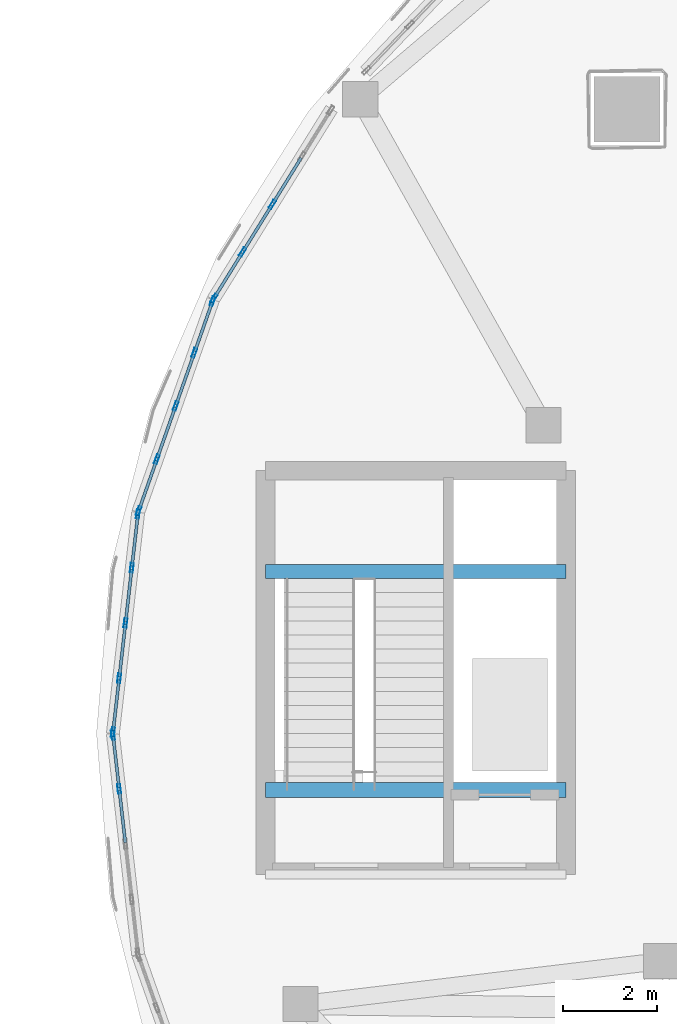
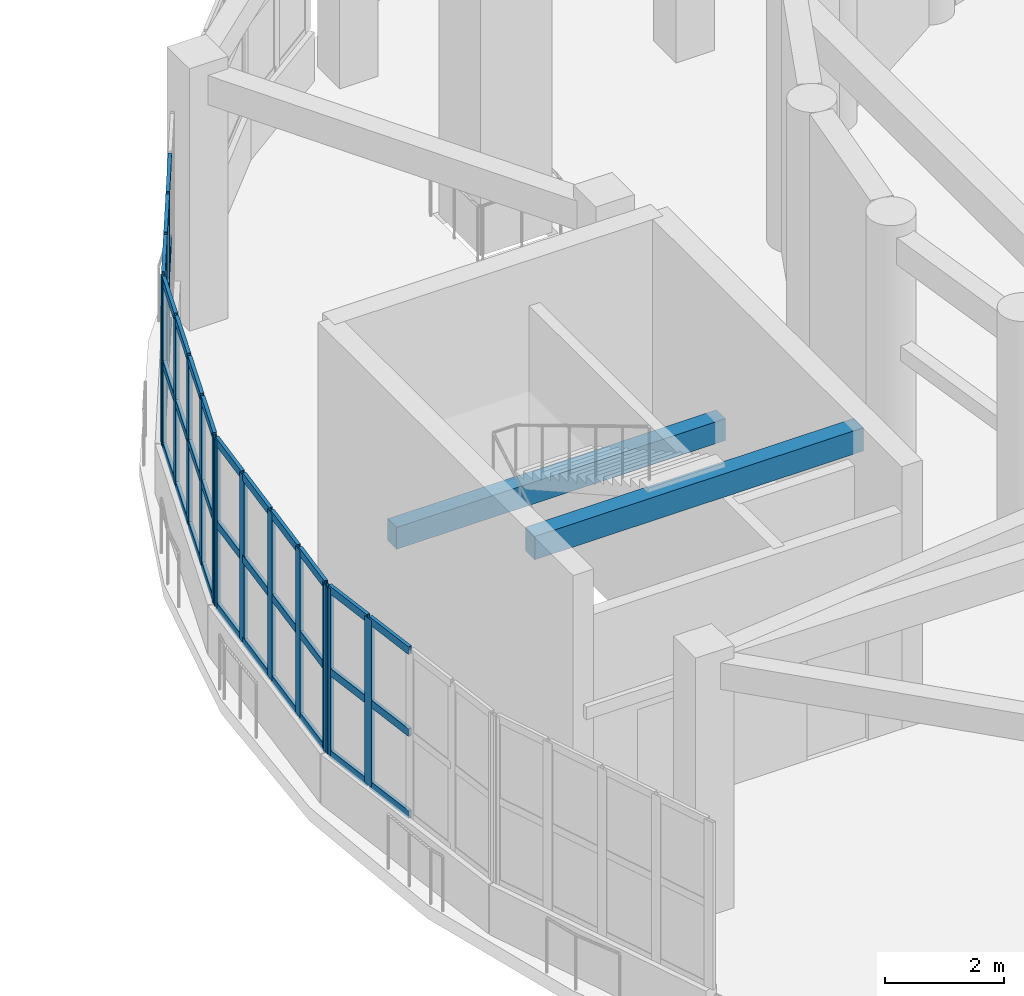
# One storey, part 41 of 96: 54 members, 2 beams, 4 elements without a shape of their own.
"""IFC4 building model written with IfcOpenShell, lengths in metres."""

from ifc_helpers import new_model, si_unit, direction, frame, origin, origin_2d, place, context, subcontext, project, spatial, rectangle, hollow_rectangle, extrude, material, layer, layer_set, material_profile, profile_set, type_object, element, aggregate, save


model = new_model("IFC4")

# Units and contexts
model_context = context("Model", 3, precision=1e-05, world=origin(), true_north=direction((0.0, 1.0)))
body_context = subcontext(model_context, "Body", "Model", "MODEL_VIEW")
ifc_project = project(units=[si_unit("LENGTHUNIT", "METRE"), si_unit("AREAUNIT", "SQUARE_METRE"), si_unit("VOLUMEUNIT", "CUBIC_METRE"), si_unit("PLANEANGLEUNIT", "RADIAN"), si_unit("MASSUNIT", "GRAM", prefix="KILO")], contexts=[model_context])

# Site, building, storey
site_placement = place(None, origin())
site = spatial("IfcSite", under=ifc_project, at=site_placement, CompositionType="ELEMENT")
building_placement = place(site_placement, origin())
building = spatial("IfcBuilding", under=site, at=building_placement, Name="Pelvatis Terrace Science Centre", CompositionType="ELEMENT")
storey_placement = place(building_placement, origin())
storey = spatial("IfcBuildingStorey", under=building, at=storey_placement, Name="L00", CompositionType="ELEMENT", Elevation=0.0)

# Beams
ifc_material_1 = material(Name="Concrete C35/45", Category="concrete")
ifc_material_profile_1 = material_profile(ifc_material_1, rectangle(XDim=0.300048828125, YDim=0.449951171875, at=origin_2d()), Name="RC-BM 300x450")
ifc_profile_set_1 = profile_set([ifc_material_profile_1], Name="Concrete C35/45")
beam_type_1 = type_object("IfcBeamType", Name="BM-RC-300x450", PredefinedType="BEAM", material=ifc_profile_set_1)
beam_1_placement = place(storey_placement, frame((86.800048828125, 85.64990234375, 2.27490234375), z_axis=(1.0, 0.0, 0.0), x_axis=(0.0, 1.0, 0.0)))
element("IfcBeam", 1, at=beam_1_placement, inside=storey, type_object=beam_type_1, Name="Core C1 half-landing beam (L00)", PredefinedType="BEAM", context=body_context, shape_type="SweptSolid", body=[
    extrude(rectangle(XDim=0.300048828125, YDim=0.449951171875, at=origin_2d()), origin(), (0.0, 0.0, 1.0), 6.39990234375),
])
ifc_material_2 = material(Name="Concrete C35/45", Category="concrete")
ifc_material_profile_2 = material_profile(ifc_material_2, rectangle(XDim=0.320068359375, YDim=0.47998046875, at=origin_2d()), Name="RC-BM 320x480")
ifc_profile_set_2 = profile_set([ifc_material_profile_2], Name="Concrete C35/45")
beam_type_2 = type_object("IfcBeamType", Name="BM-RC-320x480", PredefinedType="BEAM", material=ifc_profile_set_2)
beam_2_placement = place(storey_placement, frame((86.800048828125, 81.0, 4.89990234375), z_axis=(1.0, 0.0, 0.0), x_axis=(0.0, 1.0, 0.0)))
element("IfcBeam", 2, at=beam_2_placement, inside=storey, type_object=beam_type_2, Name="Core C1 stair header beam (L00)", PredefinedType="BEAM", context=body_context, shape_type="SweptSolid", body=[
    extrude(rectangle(XDim=0.320068359375, YDim=0.47998046875, at=origin_2d()), origin(), (0.0, 0.0, 1.0), 6.39990234375),
])

# Curtain wall, members
ifc_material_3 = material(Name="Bronze-anodised aluminium and laminated glass", Category="aluminium")
ifc_layer = layer(ifc_material_3, 0.199951171875)
ifc_layer_set = layer_set([ifc_layer], Name="Bronze-anodised aluminium and laminated glass")
curtain_wall_type = type_object("IfcCurtainWallType", Name="CW-RIBBON-B", PredefinedType="NOTDEFINED", material=ifc_layer_set)
curtain_wall_1_placement = place(storey_placement, origin())
curtain_wall_1 = element("IfcCurtainWall", 3, at=curtain_wall_1_placement, inside=storey, type_object=curtain_wall_type, Name="Ribbon curtain wall CW-113 (L00)", PredefinedType="NOTDEFINED")
ifc_material_4 = material(Name="Bronze-anodised aluminium 6063-T6", Category="aluminium")
ifc_material_profile_3 = material_profile(ifc_material_4, hollow_rectangle(XDim=0.06494140625, YDim=0.199951171875, WallThickness=0.00439453125, at=origin_2d()), Name="ALU-MUL 65x200")
ifc_profile_set_3 = profile_set([ifc_material_profile_3], Name="Bronze-anodised aluminium 6063-T6")
member_type_1 = type_object("IfcMemberType", Name="CWM-65x200", PredefinedType="MULLION", material=ifc_profile_set_3)
member_1_placement = place(storey_placement, frame((86.946044921875, 93.47265625, 1.02001953125), z_axis=(0.0, 0.0, 1.0), x_axis=(0.849581991554, -0.527456576058, 0.0)))
member_1 = element("IfcMember", 4, at=member_1_placement, type_object=member_type_1, Name="CW-113 mullion 3", PredefinedType="MULLION", context=body_context, shape_type="SweptSolid", body=[
    extrude(hollow_rectangle(XDim=0.06494140625, YDim=0.199951171875, WallThickness=0.00439453125, at=origin_2d()), origin(), (0.0, 0.0, 1.0), 3.43994140625),
])
member_2_placement = place(storey_placement, frame((86.315673828125, 92.457275390625, 1.02001953125), z_axis=(0.0, 0.0, 1.0), x_axis=(0.849581991554, -0.527456576058, 0.0)))
member_2 = element("IfcMember", 5, at=member_2_placement, type_object=member_type_1, Name="CW-113 mullion 4", PredefinedType="MULLION", context=body_context, shape_type="SweptSolid", body=[
    extrude(hollow_rectangle(XDim=0.06494140625, YDim=0.199951171875, WallThickness=0.00439453125, at=origin_2d()), origin(), (0.0, 0.0, 1.0), 3.43994140625),
])
member_3_placement = place(storey_placement, frame((85.702392578125, 91.469482421875, 1.02001953125), z_axis=(0.0, 0.0, 1.0), x_axis=(0.849581991554, -0.527456576058, 0.0)))
member_3 = element("IfcMember", 6, at=member_3_placement, type_object=member_type_1, Name="CW-113 mullion 5", PredefinedType="MULLION", context=body_context, shape_type="SweptSolid", body=[
    extrude(hollow_rectangle(XDim=0.06494140625, YDim=0.199951171875, WallThickness=0.00439453125, at=origin_2d()), origin(), (0.0, 0.0, 1.0), 3.43994140625),
])

curtain_wall_2_placement = place(storey_placement, origin())
curtain_wall_2 = element("IfcCurtainWall", 7, at=curtain_wall_2_placement, inside=storey, type_object=curtain_wall_type, Name="Ribbon curtain wall CW-114 (L00)", PredefinedType="NOTDEFINED")
member_4_placement = place(storey_placement, frame((85.67431640625, 91.4111328125, 1.02001953125), z_axis=(0.0, 0.0, 1.0), x_axis=(0.943170837028, -0.332308248738, 0.0)))
member_4 = element("IfcMember", 8, at=member_4_placement, type_object=member_type_1, Name="CW-114 mullion 1", PredefinedType="MULLION", context=body_context, shape_type="SweptSolid", body=[
    extrude(hollow_rectangle(XDim=0.06494140625, YDim=0.199951171875, WallThickness=0.00439453125, at=origin_2d()), origin(), (0.0, 0.0, 1.0), 3.43994140625),
])
member_5_placement = place(storey_placement, frame((85.2861328125, 90.30908203125, 1.02001953125), z_axis=(0.0, 0.0, 1.0), x_axis=(0.943170837028, -0.332308248738, 0.0)))
member_5 = element("IfcMember", 9, at=member_5_placement, type_object=member_type_1, Name="CW-114 mullion 2", PredefinedType="MULLION", context=body_context, shape_type="SweptSolid", body=[
    extrude(hollow_rectangle(XDim=0.06494140625, YDim=0.199951171875, WallThickness=0.00439453125, at=origin_2d()), origin(), (0.0, 0.0, 1.0), 3.43994140625),
])
member_6_placement = place(storey_placement, frame((84.88720703125, 89.176513671875, 1.02001953125), z_axis=(0.0, 0.0, 1.0), x_axis=(0.943170837028, -0.332308248738, 0.0)))
member_6 = element("IfcMember", 10, at=member_6_placement, type_object=member_type_1, Name="CW-114 mullion 3", PredefinedType="MULLION", context=body_context, shape_type="SweptSolid", body=[
    extrude(hollow_rectangle(XDim=0.06494140625, YDim=0.199951171875, WallThickness=0.00439453125, at=origin_2d()), origin(), (0.0, 0.0, 1.0), 3.43994140625),
])
member_7_placement = place(storey_placement, frame((84.488037109375, 88.0439453125, 1.02001953125), z_axis=(0.0, 0.0, 1.0), x_axis=(0.943170837028, -0.332308248738, 0.0)))
member_7 = element("IfcMember", 11, at=member_7_placement, type_object=member_type_1, Name="CW-114 mullion 4", PredefinedType="MULLION", context=body_context, shape_type="SweptSolid", body=[
    extrude(hollow_rectangle(XDim=0.06494140625, YDim=0.199951171875, WallThickness=0.00439453125, at=origin_2d()), origin(), (0.0, 0.0, 1.0), 3.43994140625),
])
member_8_placement = place(storey_placement, frame((84.099853515625, 86.942138671875, 1.02001953125), z_axis=(0.0, 0.0, 1.0), x_axis=(0.943170837028, -0.332308248738, 0.0)))
member_8 = element("IfcMember", 12, at=member_8_placement, type_object=member_type_1, Name="CW-114 mullion 5", PredefinedType="MULLION", context=body_context, shape_type="SweptSolid", body=[
    extrude(hollow_rectangle(XDim=0.06494140625, YDim=0.199951171875, WallThickness=0.00439453125, at=origin_2d()), origin(), (0.0, 0.0, 1.0), 3.43994140625),
])

curtain_wall_3_placement = place(storey_placement, origin())
curtain_wall_3 = element("IfcCurtainWall", 13, at=curtain_wall_3_placement, inside=storey, type_object=curtain_wall_type, Name="Ribbon curtain wall CW-115 (L00)", PredefinedType="NOTDEFINED")
member_9_placement = place(storey_placement, frame((84.085205078125, 86.879150390625, 1.02001953125), z_axis=(0.0, 0.0, 1.0), x_axis=(0.993519479858, -0.113661968763, 0.0)))
member_9 = element("IfcMember", 14, at=member_9_placement, type_object=member_type_1, Name="CW-115 mullion 1", PredefinedType="MULLION", context=body_context, shape_type="SweptSolid", body=[
    extrude(hollow_rectangle(XDim=0.06494140625, YDim=0.199951171875, WallThickness=0.00439453125, at=origin_2d()), origin(), (0.0, 0.0, 1.0), 3.43994140625),
])
member_10_placement = place(storey_placement, frame((83.954345703125, 85.733642578125, 1.02001953125), z_axis=(0.0, 0.0, 1.0), x_axis=(0.993519479858, -0.113661968763, 0.0)))
member_10 = element("IfcMember", 15, at=member_10_placement, type_object=member_type_1, Name="CW-115 mullion 2", PredefinedType="MULLION", context=body_context, shape_type="SweptSolid", body=[
    extrude(hollow_rectangle(XDim=0.06494140625, YDim=0.199951171875, WallThickness=0.00439453125, at=origin_2d()), origin(), (0.0, 0.0, 1.0), 3.43994140625),
])
member_11_placement = place(storey_placement, frame((83.819580078125, 84.5556640625, 1.02001953125), z_axis=(0.0, 0.0, 1.0), x_axis=(0.993519479858, -0.113661968763, 0.0)))
member_11 = element("IfcMember", 16, at=member_11_placement, type_object=member_type_1, Name="CW-115 mullion 3", PredefinedType="MULLION", context=body_context, shape_type="SweptSolid", body=[
    extrude(hollow_rectangle(XDim=0.06494140625, YDim=0.199951171875, WallThickness=0.00439453125, at=origin_2d()), origin(), (0.0, 0.0, 1.0), 3.43994140625),
])
member_12_placement = place(storey_placement, frame((83.684814453125, 83.3779296875, 1.02001953125), z_axis=(0.0, 0.0, 1.0), x_axis=(0.993519479858, -0.113661968763, 0.0)))
member_12 = element("IfcMember", 17, at=member_12_placement, type_object=member_type_1, Name="CW-115 mullion 4", PredefinedType="MULLION", context=body_context, shape_type="SweptSolid", body=[
    extrude(hollow_rectangle(XDim=0.06494140625, YDim=0.199951171875, WallThickness=0.00439453125, at=origin_2d()), origin(), (0.0, 0.0, 1.0), 3.43994140625),
])
member_13_placement = place(storey_placement, frame((83.5537109375, 82.232177734375, 1.02001953125), z_axis=(0.0, 0.0, 1.0), x_axis=(0.993519479858, -0.113661968763, 0.0)))
member_13 = element("IfcMember", 18, at=member_13_placement, type_object=member_type_1, Name="CW-115 mullion 5", PredefinedType="MULLION", context=body_context, shape_type="SweptSolid", body=[
    extrude(hollow_rectangle(XDim=0.06494140625, YDim=0.199951171875, WallThickness=0.00439453125, at=origin_2d()), origin(), (0.0, 0.0, 1.0), 3.43994140625),
])

curtain_wall_4_placement = place(storey_placement, origin())
curtain_wall_4 = element("IfcCurtainWall", 19, at=curtain_wall_4_placement, inside=storey, type_object=curtain_wall_type, Name="Ribbon curtain wall CW-116 (L00)", PredefinedType="NOTDEFINED")
member_14_placement = place(storey_placement, frame((83.5537109375, 82.167724609375, 1.02001953125), z_axis=(0.0, 0.0, 1.0), x_axis=(0.993519479858, 0.113661968763, 0.0)))
member_14 = element("IfcMember", 20, at=member_14_placement, type_object=member_type_1, Name="CW-116 mullion 1", PredefinedType="MULLION", context=body_context, shape_type="SweptSolid", body=[
    extrude(hollow_rectangle(XDim=0.06494140625, YDim=0.199951171875, WallThickness=0.00439453125, at=origin_2d()), origin(), (0.0, 0.0, 1.0), 3.43994140625),
])
member_15_placement = place(storey_placement, frame((83.684814453125, 81.022216796875, 1.02001953125), z_axis=(0.0, 0.0, 1.0), x_axis=(0.993519479858, 0.113661968763, 0.0)))
member_15 = element("IfcMember", 21, at=member_15_placement, type_object=member_type_1, Name="CW-116 mullion 2", PredefinedType="MULLION", context=body_context, shape_type="SweptSolid", body=[
    extrude(hollow_rectangle(XDim=0.06494140625, YDim=0.199951171875, WallThickness=0.00439453125, at=origin_2d()), origin(), (0.0, 0.0, 1.0), 3.43994140625),
])

# Member
ifc_material_5 = material(Name="Bronze-anodised aluminium 6063-T6", Category="aluminium")
ifc_material_profile_4 = material_profile(ifc_material_5, hollow_rectangle(XDim=0.06494140625, YDim=0.159912109375, WallThickness=0.00390625, at=origin_2d()), Name="ALU-TRN 65x160")
ifc_profile_set_4 = profile_set([ifc_material_profile_4], Name="Bronze-anodised aluminium 6063-T6")
member_type_2 = type_object("IfcMemberType", Name="CWT-65x160", PredefinedType="USERDEFINED", material=ifc_profile_set_4)
member_16_placement = place(storey_placement, frame((87.559326171875, 94.460693359375, 1.052490234375), z_axis=(-0.52739511764, -0.84962014447, 0.0), x_axis=(0.84962014447, -0.52739511764, 0.0)))
member_16 = element("IfcMember", 22, at=member_16_placement, type_object=member_type_2, Name="CW-113 transom 2.1", ObjectType="TRANSOM", PredefinedType="USERDEFINED", context=body_context, shape_type="SweptSolid", body=[
    extrude(hollow_rectangle(XDim=0.06494140625, YDim=0.159912109375, WallThickness=0.00390625, at=origin_2d()), origin(), (0.0, 0.0, 1.0), 1.13037109375),
])

member_17_placement = place(storey_placement, frame((87.559326171875, 94.460693359375, 2.739990234375), z_axis=(-0.52739511764, -0.84962014447, 0.0), x_axis=(0.84962014447, -0.52739511764, 0.0)))
member_17 = element("IfcMember", 23, at=member_17_placement, type_object=member_type_2, Name="CW-113 transom 2.2", ObjectType="TRANSOM", PredefinedType="USERDEFINED", context=body_context, shape_type="SweptSolid", body=[
    extrude(hollow_rectangle(XDim=0.06494140625, YDim=0.159912109375, WallThickness=0.00390625, at=origin_2d()), origin(), (0.0, 0.0, 1.0), 1.13037109375),
])

member_18_placement = place(storey_placement, frame((87.559326171875, 94.460693359375, 4.427490234375), z_axis=(-0.52739511764, -0.84962014447, 0.0), x_axis=(0.84962014447, -0.52739511764, 0.0)))
member_18 = element("IfcMember", 24, at=member_18_placement, type_object=member_type_2, Name="CW-113 transom 2.3", ObjectType="TRANSOM", PredefinedType="USERDEFINED", context=body_context, shape_type="SweptSolid", body=[
    extrude(hollow_rectangle(XDim=0.06494140625, YDim=0.159912109375, WallThickness=0.00390625, at=origin_2d()), origin(), (0.0, 0.0, 1.0), 1.13037109375),
])

member_19_placement = place(storey_placement, frame((86.928955078125, 93.445068359375, 1.052490234375), z_axis=(-0.527491904341, -0.849560057238, 0.0), x_axis=(0.849560057238, -0.527491904341, 0.0)))
member_19 = element("IfcMember", 25, at=member_19_placement, type_object=member_type_2, Name="CW-113 transom 3.1", ObjectType="TRANSOM", PredefinedType="USERDEFINED", context=body_context, shape_type="SweptSolid", body=[
    extrude(hollow_rectangle(XDim=0.06494140625, YDim=0.159912109375, WallThickness=0.00390625, at=origin_2d()), origin(), (0.0, 0.0, 1.0), 1.130126953125),
])

member_20_placement = place(storey_placement, frame((86.928955078125, 93.445068359375, 2.739990234375), z_axis=(-0.527491904341, -0.849560057238, 0.0), x_axis=(0.849560057238, -0.527491904341, 0.0)))
member_20 = element("IfcMember", 26, at=member_20_placement, type_object=member_type_2, Name="CW-113 transom 3.2", ObjectType="TRANSOM", PredefinedType="USERDEFINED", context=body_context, shape_type="SweptSolid", body=[
    extrude(hollow_rectangle(XDim=0.06494140625, YDim=0.159912109375, WallThickness=0.00390625, at=origin_2d()), origin(), (0.0, 0.0, 1.0), 1.130126953125),
])

member_21_placement = place(storey_placement, frame((86.928955078125, 93.445068359375, 4.427490234375), z_axis=(-0.527491904341, -0.849560057238, 0.0), x_axis=(0.849560057238, -0.527491904341, 0.0)))
member_21 = element("IfcMember", 27, at=member_21_placement, type_object=member_type_2, Name="CW-113 transom 3.3", ObjectType="TRANSOM", PredefinedType="USERDEFINED", context=body_context, shape_type="SweptSolid", body=[
    extrude(hollow_rectangle(XDim=0.06494140625, YDim=0.159912109375, WallThickness=0.00390625, at=origin_2d()), origin(), (0.0, 0.0, 1.0), 1.130126953125),
])

member_22_placement = place(storey_placement, frame((86.298583984375, 92.4296875, 1.052490234375), z_axis=(-0.527517860457, -0.849543940534, 0.0), x_axis=(0.849543940534, -0.527517860457, 0.0)))
member_22 = element("IfcMember", 28, at=member_22_placement, type_object=member_type_2, Name="CW-113 transom 4.1", ObjectType="TRANSOM", PredefinedType="USERDEFINED", context=body_context, shape_type="SweptSolid", body=[
    extrude(hollow_rectangle(XDim=0.06494140625, YDim=0.159912109375, WallThickness=0.00390625, at=origin_2d()), origin(), (0.0, 0.0, 1.0), 1.097900390625),
])

member_23_placement = place(storey_placement, frame((86.298583984375, 92.4296875, 2.739990234375), z_axis=(-0.527517860457, -0.849543940534, 0.0), x_axis=(0.849543940534, -0.527517860457, 0.0)))
member_23 = element("IfcMember", 29, at=member_23_placement, type_object=member_type_2, Name="CW-113 transom 4.2", ObjectType="TRANSOM", PredefinedType="USERDEFINED", context=body_context, shape_type="SweptSolid", body=[
    extrude(hollow_rectangle(XDim=0.06494140625, YDim=0.159912109375, WallThickness=0.00390625, at=origin_2d()), origin(), (0.0, 0.0, 1.0), 1.097900390625),
])

member_24_placement = place(storey_placement, frame((86.298583984375, 92.4296875, 4.427490234375), z_axis=(-0.527517860457, -0.849543940534, 0.0), x_axis=(0.849543940534, -0.527517860457, 0.0)))
member_24 = element("IfcMember", 30, at=member_24_placement, type_object=member_type_2, Name="CW-113 transom 4.3", ObjectType="TRANSOM", PredefinedType="USERDEFINED", context=body_context, shape_type="SweptSolid", body=[
    extrude(hollow_rectangle(XDim=0.06494140625, YDim=0.159912109375, WallThickness=0.00390625, at=origin_2d()), origin(), (0.0, 0.0, 1.0), 1.097900390625),
])

aggregate(curtain_wall_1, [member_1, member_2, member_3, member_16, member_17, member_18, member_19, member_20, member_21, member_22, member_23, member_24])

member_25_placement = place(storey_placement, frame((85.66357421875, 91.380615234375, 1.052490234375), z_axis=(-0.332310863996, -0.943169915588, 0.0), x_axis=(0.943169915588, -0.332310863996, 0.0)))
member_25 = element("IfcMember", 31, at=member_25_placement, type_object=member_type_2, Name="CW-114 transom 1.1", ObjectType="TRANSOM", PredefinedType="USERDEFINED", context=body_context, shape_type="SweptSolid", body=[
    extrude(hollow_rectangle(XDim=0.06494140625, YDim=0.159912109375, WallThickness=0.00390625, at=origin_2d()), origin(), (0.0, 0.0, 1.0), 1.103515625),
])

member_26_placement = place(storey_placement, frame((85.66357421875, 91.380615234375, 2.739990234375), z_axis=(-0.332310863996, -0.943169915588, 0.0), x_axis=(0.943169915588, -0.332310863996, 0.0)))
member_26 = element("IfcMember", 32, at=member_26_placement, type_object=member_type_2, Name="CW-114 transom 1.2", ObjectType="TRANSOM", PredefinedType="USERDEFINED", context=body_context, shape_type="SweptSolid", body=[
    extrude(hollow_rectangle(XDim=0.06494140625, YDim=0.159912109375, WallThickness=0.00390625, at=origin_2d()), origin(), (0.0, 0.0, 1.0), 1.103515625),
])

member_27_placement = place(storey_placement, frame((85.66357421875, 91.380615234375, 4.427490234375), z_axis=(-0.332310863996, -0.943169915588, 0.0), x_axis=(0.943169915588, -0.332310863996, 0.0)))
member_27 = element("IfcMember", 33, at=member_27_placement, type_object=member_type_2, Name="CW-114 transom 1.3", ObjectType="TRANSOM", PredefinedType="USERDEFINED", context=body_context, shape_type="SweptSolid", body=[
    extrude(hollow_rectangle(XDim=0.06494140625, YDim=0.159912109375, WallThickness=0.00390625, at=origin_2d()), origin(), (0.0, 0.0, 1.0), 1.103515625),
])

member_28_placement = place(storey_placement, frame((85.275390625, 90.278564453125, 1.052490234375), z_axis=(-0.332302880193, -0.943172728516, 0.0), x_axis=(0.943172728516, -0.332302880193, 0.0)))
member_28 = element("IfcMember", 34, at=member_28_placement, type_object=member_type_2, Name="CW-114 transom 2.1", ObjectType="TRANSOM", PredefinedType="USERDEFINED", context=body_context, shape_type="SweptSolid", body=[
    extrude(hollow_rectangle(XDim=0.06494140625, YDim=0.159912109375, WallThickness=0.00390625, at=origin_2d()), origin(), (0.0, 0.0, 1.0), 1.1357421875),
])

member_29_placement = place(storey_placement, frame((85.275390625, 90.278564453125, 2.739990234375), z_axis=(-0.332302880193, -0.943172728516, 0.0), x_axis=(0.943172728516, -0.332302880193, 0.0)))
member_29 = element("IfcMember", 35, at=member_29_placement, type_object=member_type_2, Name="CW-114 transom 2.2", ObjectType="TRANSOM", PredefinedType="USERDEFINED", context=body_context, shape_type="SweptSolid", body=[
    extrude(hollow_rectangle(XDim=0.06494140625, YDim=0.159912109375, WallThickness=0.00390625, at=origin_2d()), origin(), (0.0, 0.0, 1.0), 1.1357421875),
])

member_30_placement = place(storey_placement, frame((85.275390625, 90.278564453125, 4.427490234375), z_axis=(-0.332302880193, -0.943172728516, 0.0), x_axis=(0.943172728516, -0.332302880193, 0.0)))
member_30 = element("IfcMember", 36, at=member_30_placement, type_object=member_type_2, Name="CW-114 transom 2.3", ObjectType="TRANSOM", PredefinedType="USERDEFINED", context=body_context, shape_type="SweptSolid", body=[
    extrude(hollow_rectangle(XDim=0.06494140625, YDim=0.159912109375, WallThickness=0.00390625, at=origin_2d()), origin(), (0.0, 0.0, 1.0), 1.1357421875),
])

member_31_placement = place(storey_placement, frame((84.876220703125, 89.14599609375, 1.052490234375), z_axis=(-0.332302880193, -0.943172728516, 0.0), x_axis=(0.943172728516, -0.332302880193, 0.0)))
member_31 = element("IfcMember", 37, at=member_31_placement, type_object=member_type_2, Name="CW-114 transom 3.1", ObjectType="TRANSOM", PredefinedType="USERDEFINED", context=body_context, shape_type="SweptSolid", body=[
    extrude(hollow_rectangle(XDim=0.06494140625, YDim=0.159912109375, WallThickness=0.00390625, at=origin_2d()), origin(), (0.0, 0.0, 1.0), 1.1357421875),
])

member_32_placement = place(storey_placement, frame((84.876220703125, 89.14599609375, 2.739990234375), z_axis=(-0.332302880193, -0.943172728516, 0.0), x_axis=(0.943172728516, -0.332302880193, 0.0)))
member_32 = element("IfcMember", 38, at=member_32_placement, type_object=member_type_2, Name="CW-114 transom 3.2", ObjectType="TRANSOM", PredefinedType="USERDEFINED", context=body_context, shape_type="SweptSolid", body=[
    extrude(hollow_rectangle(XDim=0.06494140625, YDim=0.159912109375, WallThickness=0.00390625, at=origin_2d()), origin(), (0.0, 0.0, 1.0), 1.1357421875),
])

member_33_placement = place(storey_placement, frame((84.876220703125, 89.14599609375, 4.427490234375), z_axis=(-0.332302880193, -0.943172728516, 0.0), x_axis=(0.943172728516, -0.332302880193, 0.0)))
member_33 = element("IfcMember", 39, at=member_33_placement, type_object=member_type_2, Name="CW-114 transom 3.3", ObjectType="TRANSOM", PredefinedType="USERDEFINED", context=body_context, shape_type="SweptSolid", body=[
    extrude(hollow_rectangle(XDim=0.06494140625, YDim=0.159912109375, WallThickness=0.00390625, at=origin_2d()), origin(), (0.0, 0.0, 1.0), 1.1357421875),
])

member_34_placement = place(storey_placement, frame((84.477294921875, 88.013427734375, 1.052490234375), z_axis=(-0.332310863996, -0.943169915588, 0.0), x_axis=(0.943169915588, -0.332310863996, 0.0)))
member_34 = element("IfcMember", 40, at=member_34_placement, type_object=member_type_2, Name="CW-114 transom 4.1", ObjectType="TRANSOM", PredefinedType="USERDEFINED", context=body_context, shape_type="SweptSolid", body=[
    extrude(hollow_rectangle(XDim=0.06494140625, YDim=0.159912109375, WallThickness=0.00390625, at=origin_2d()), origin(), (0.0, 0.0, 1.0), 1.103515625),
])

member_35_placement = place(storey_placement, frame((84.477294921875, 88.013427734375, 2.739990234375), z_axis=(-0.332310863996, -0.943169915588, 0.0), x_axis=(0.943169915588, -0.332310863996, 0.0)))
member_35 = element("IfcMember", 41, at=member_35_placement, type_object=member_type_2, Name="CW-114 transom 4.2", ObjectType="TRANSOM", PredefinedType="USERDEFINED", context=body_context, shape_type="SweptSolid", body=[
    extrude(hollow_rectangle(XDim=0.06494140625, YDim=0.159912109375, WallThickness=0.00390625, at=origin_2d()), origin(), (0.0, 0.0, 1.0), 1.103515625),
])

member_36_placement = place(storey_placement, frame((84.477294921875, 88.013427734375, 4.427490234375), z_axis=(-0.332310863996, -0.943169915588, 0.0), x_axis=(0.943169915588, -0.332310863996, 0.0)))
member_36 = element("IfcMember", 42, at=member_36_placement, type_object=member_type_2, Name="CW-114 transom 4.3", ObjectType="TRANSOM", PredefinedType="USERDEFINED", context=body_context, shape_type="SweptSolid", body=[
    extrude(hollow_rectangle(XDim=0.06494140625, YDim=0.159912109375, WallThickness=0.00390625, at=origin_2d()), origin(), (0.0, 0.0, 1.0), 1.103515625),
])

aggregate(curtain_wall_2, [member_4, member_5, member_6, member_7, member_8, member_25, member_26, member_27, member_28, member_29, member_30, member_31, member_32, member_33, member_34, member_35, member_36])

member_37_placement = place(storey_placement, frame((84.08154296875, 86.846923828125, 1.052490234375), z_axis=(-0.113533935007, -0.993534118992, 0.0), x_axis=(0.993534118992, -0.113533935007, 0.0)))
member_37 = element("IfcMember", 43, at=member_37_placement, type_object=member_type_2, Name="CW-115 transom 1.1", ObjectType="TRANSOM", PredefinedType="USERDEFINED", context=body_context, shape_type="SweptSolid", body=[
    extrude(hollow_rectangle(XDim=0.06494140625, YDim=0.159912109375, WallThickness=0.00390625, at=origin_2d()), origin(), (0.0, 0.0, 1.0), 1.088134765625),
])

member_38_placement = place(storey_placement, frame((84.08154296875, 86.846923828125, 2.739990234375), z_axis=(-0.113533935007, -0.993534118992, 0.0), x_axis=(0.993534118992, -0.113533935007, 0.0)))
member_38 = element("IfcMember", 44, at=member_38_placement, type_object=member_type_2, Name="CW-115 transom 1.2", ObjectType="TRANSOM", PredefinedType="USERDEFINED", context=body_context, shape_type="SweptSolid", body=[
    extrude(hollow_rectangle(XDim=0.06494140625, YDim=0.159912109375, WallThickness=0.00390625, at=origin_2d()), origin(), (0.0, 0.0, 1.0), 1.088134765625),
])

member_39_placement = place(storey_placement, frame((84.08154296875, 86.846923828125, 4.427490234375), z_axis=(-0.113533935007, -0.993534118992, 0.0), x_axis=(0.993534118992, -0.113533935007, 0.0)))
member_39 = element("IfcMember", 45, at=member_39_placement, type_object=member_type_2, Name="CW-115 transom 1.3", ObjectType="TRANSOM", PredefinedType="USERDEFINED", context=body_context, shape_type="SweptSolid", body=[
    extrude(hollow_rectangle(XDim=0.06494140625, YDim=0.159912109375, WallThickness=0.00390625, at=origin_2d()), origin(), (0.0, 0.0, 1.0), 1.088134765625),
])

member_40_placement = place(storey_placement, frame((83.950439453125, 85.701171875, 1.052490234375), z_axis=(-0.113515866586, -0.993536183555, 0.0), x_axis=(0.993536183555, -0.113515866586, 0.0)))
member_40 = element("IfcMember", 46, at=member_40_placement, type_object=member_type_2, Name="CW-115 transom 2.1", ObjectType="TRANSOM", PredefinedType="USERDEFINED", context=body_context, shape_type="SweptSolid", body=[
    extrude(hollow_rectangle(XDim=0.06494140625, YDim=0.159912109375, WallThickness=0.00390625, at=origin_2d()), origin(), (0.0, 0.0, 1.0), 1.12060546875),
])

member_41_placement = place(storey_placement, frame((83.950439453125, 85.701171875, 2.739990234375), z_axis=(-0.113515866586, -0.993536183555, 0.0), x_axis=(0.993536183555, -0.113515866586, 0.0)))
member_41 = element("IfcMember", 47, at=member_41_placement, type_object=member_type_2, Name="CW-115 transom 2.2", ObjectType="TRANSOM", PredefinedType="USERDEFINED", context=body_context, shape_type="SweptSolid", body=[
    extrude(hollow_rectangle(XDim=0.06494140625, YDim=0.159912109375, WallThickness=0.00390625, at=origin_2d()), origin(), (0.0, 0.0, 1.0), 1.12060546875),
])

member_42_placement = place(storey_placement, frame((83.950439453125, 85.701171875, 4.427490234375), z_axis=(-0.113515866586, -0.993536183555, 0.0), x_axis=(0.993536183555, -0.113515866586, 0.0)))
member_42 = element("IfcMember", 48, at=member_42_placement, type_object=member_type_2, Name="CW-115 transom 2.3", ObjectType="TRANSOM", PredefinedType="USERDEFINED", context=body_context, shape_type="SweptSolid", body=[
    extrude(hollow_rectangle(XDim=0.06494140625, YDim=0.159912109375, WallThickness=0.00390625, at=origin_2d()), origin(), (0.0, 0.0, 1.0), 1.12060546875),
])

member_43_placement = place(storey_placement, frame((83.81591796875, 84.5234375, 1.052490234375), z_axis=(-0.113730931765, -0.993511587834, 0.0), x_axis=(0.993511587834, -0.113730931765, 0.0)))
member_43 = element("IfcMember", 49, at=member_43_placement, type_object=member_type_2, Name="CW-115 transom 3.1", ObjectType="TRANSOM", PredefinedType="USERDEFINED", context=body_context, shape_type="SweptSolid", body=[
    extrude(hollow_rectangle(XDim=0.06494140625, YDim=0.159912109375, WallThickness=0.00390625, at=origin_2d()), origin(), (0.0, 0.0, 1.0), 1.12060546875),
])

member_44_placement = place(storey_placement, frame((83.81591796875, 84.5234375, 2.739990234375), z_axis=(-0.113730931765, -0.993511587834, 0.0), x_axis=(0.993511587834, -0.113730931765, 0.0)))
member_44 = element("IfcMember", 50, at=member_44_placement, type_object=member_type_2, Name="CW-115 transom 3.2", ObjectType="TRANSOM", PredefinedType="USERDEFINED", context=body_context, shape_type="SweptSolid", body=[
    extrude(hollow_rectangle(XDim=0.06494140625, YDim=0.159912109375, WallThickness=0.00390625, at=origin_2d()), origin(), (0.0, 0.0, 1.0), 1.12060546875),
])

member_45_placement = place(storey_placement, frame((83.81591796875, 84.5234375, 4.427490234375), z_axis=(-0.113730931765, -0.993511587834, 0.0), x_axis=(0.993511587834, -0.113730931765, 0.0)))
member_45 = element("IfcMember", 51, at=member_45_placement, type_object=member_type_2, Name="CW-115 transom 3.3", ObjectType="TRANSOM", PredefinedType="USERDEFINED", context=body_context, shape_type="SweptSolid", body=[
    extrude(hollow_rectangle(XDim=0.06494140625, YDim=0.159912109375, WallThickness=0.00390625, at=origin_2d()), origin(), (0.0, 0.0, 1.0), 1.12060546875),
])

member_46_placement = place(storey_placement, frame((83.68115234375, 83.345458984375, 1.052490234375), z_axis=(-0.113780772916, -0.993505881067, 0.0), x_axis=(0.993505881067, -0.113780772916, 0.0)))
member_46 = element("IfcMember", 52, at=member_46_placement, type_object=member_type_2, Name="CW-115 transom 4.1", ObjectType="TRANSOM", PredefinedType="USERDEFINED", context=body_context, shape_type="SweptSolid", body=[
    extrude(hollow_rectangle(XDim=0.06494140625, YDim=0.159912109375, WallThickness=0.00390625, at=origin_2d()), origin(), (0.0, 0.0, 1.0), 1.087890625),
])

member_47_placement = place(storey_placement, frame((83.68115234375, 83.345458984375, 2.739990234375), z_axis=(-0.113780772916, -0.993505881067, 0.0), x_axis=(0.993505881067, -0.113780772916, 0.0)))
member_47 = element("IfcMember", 53, at=member_47_placement, type_object=member_type_2, Name="CW-115 transom 4.2", ObjectType="TRANSOM", PredefinedType="USERDEFINED", context=body_context, shape_type="SweptSolid", body=[
    extrude(hollow_rectangle(XDim=0.06494140625, YDim=0.159912109375, WallThickness=0.00390625, at=origin_2d()), origin(), (0.0, 0.0, 1.0), 1.087890625),
])

member_48_placement = place(storey_placement, frame((83.68115234375, 83.345458984375, 4.427490234375), z_axis=(-0.113780772916, -0.993505881067, 0.0), x_axis=(0.993505881067, -0.113780772916, 0.0)))
member_48 = element("IfcMember", 54, at=member_48_placement, type_object=member_type_2, Name="CW-115 transom 4.3", ObjectType="TRANSOM", PredefinedType="USERDEFINED", context=body_context, shape_type="SweptSolid", body=[
    extrude(hollow_rectangle(XDim=0.06494140625, YDim=0.159912109375, WallThickness=0.00390625, at=origin_2d()), origin(), (0.0, 0.0, 1.0), 1.087890625),
])

aggregate(curtain_wall_3, [member_9, member_10, member_11, member_12, member_13, member_37, member_38, member_39, member_40, member_41, member_42, member_43, member_44, member_45, member_46, member_47, member_48])

member_49_placement = place(storey_placement, frame((83.557373046875, 82.135498046875, 1.052490234375), z_axis=(0.113755409716, -0.993508785447, 0.0), x_axis=(0.993508785447, 0.113755409716, 0.0)))
member_49 = element("IfcMember", 55, at=member_49_placement, type_object=member_type_2, Name="CW-116 transom 1.1", ObjectType="TRANSOM", PredefinedType="USERDEFINED", context=body_context, shape_type="SweptSolid", body=[
    extrude(hollow_rectangle(XDim=0.06494140625, YDim=0.159912109375, WallThickness=0.00390625, at=origin_2d()), origin(), (0.0, 0.0, 1.0), 1.088134765625),
])

member_50_placement = place(storey_placement, frame((83.557373046875, 82.135498046875, 2.739990234375), z_axis=(0.113755409716, -0.993508785447, 0.0), x_axis=(0.993508785447, 0.113755409716, 0.0)))
member_50 = element("IfcMember", 56, at=member_50_placement, type_object=member_type_2, Name="CW-116 transom 1.2", ObjectType="TRANSOM", PredefinedType="USERDEFINED", context=body_context, shape_type="SweptSolid", body=[
    extrude(hollow_rectangle(XDim=0.06494140625, YDim=0.159912109375, WallThickness=0.00390625, at=origin_2d()), origin(), (0.0, 0.0, 1.0), 1.088134765625),
])

member_51_placement = place(storey_placement, frame((83.557373046875, 82.135498046875, 4.427490234375), z_axis=(0.113755409716, -0.993508785447, 0.0), x_axis=(0.993508785447, 0.113755409716, 0.0)))
member_51 = element("IfcMember", 57, at=member_51_placement, type_object=member_type_2, Name="CW-116 transom 1.3", ObjectType="TRANSOM", PredefinedType="USERDEFINED", context=body_context, shape_type="SweptSolid", body=[
    extrude(hollow_rectangle(XDim=0.06494140625, YDim=0.159912109375, WallThickness=0.00390625, at=origin_2d()), origin(), (0.0, 0.0, 1.0), 1.088134765625),
])

member_52_placement = place(storey_placement, frame((83.6884765625, 80.98974609375, 1.052490234375), z_axis=(0.113755555449, -0.993508768761, 0.0), x_axis=(0.993508768761, 0.113755555449, 0.0)))
member_52 = element("IfcMember", 58, at=member_52_placement, type_object=member_type_2, Name="CW-116 transom 2.1", ObjectType="TRANSOM", PredefinedType="USERDEFINED", context=body_context, shape_type="SweptSolid", body=[
    extrude(hollow_rectangle(XDim=0.06494140625, YDim=0.159912109375, WallThickness=0.00390625, at=origin_2d()), origin(), (0.0, 0.0, 1.0), 1.120361328125),
])

member_53_placement = place(storey_placement, frame((83.6884765625, 80.98974609375, 2.739990234375), z_axis=(0.113755555449, -0.993508768761, 0.0), x_axis=(0.993508768761, 0.113755555449, 0.0)))
member_53 = element("IfcMember", 59, at=member_53_placement, type_object=member_type_2, Name="CW-116 transom 2.2", ObjectType="TRANSOM", PredefinedType="USERDEFINED", context=body_context, shape_type="SweptSolid", body=[
    extrude(hollow_rectangle(XDim=0.06494140625, YDim=0.159912109375, WallThickness=0.00390625, at=origin_2d()), origin(), (0.0, 0.0, 1.0), 1.120361328125),
])

member_54_placement = place(storey_placement, frame((83.6884765625, 80.98974609375, 4.427490234375), z_axis=(0.113755555449, -0.993508768761, 0.0), x_axis=(0.993508768761, 0.113755555449, 0.0)))
member_54 = element("IfcMember", 60, at=member_54_placement, type_object=member_type_2, Name="CW-116 transom 2.3", ObjectType="TRANSOM", PredefinedType="USERDEFINED", context=body_context, shape_type="SweptSolid", body=[
    extrude(hollow_rectangle(XDim=0.06494140625, YDim=0.159912109375, WallThickness=0.00390625, at=origin_2d()), origin(), (0.0, 0.0, 1.0), 1.120361328125),
])

aggregate(curtain_wall_4, [member_14, member_15, member_49, member_50, member_51, member_52, member_53, member_54])

save(model, "model.ifc")
